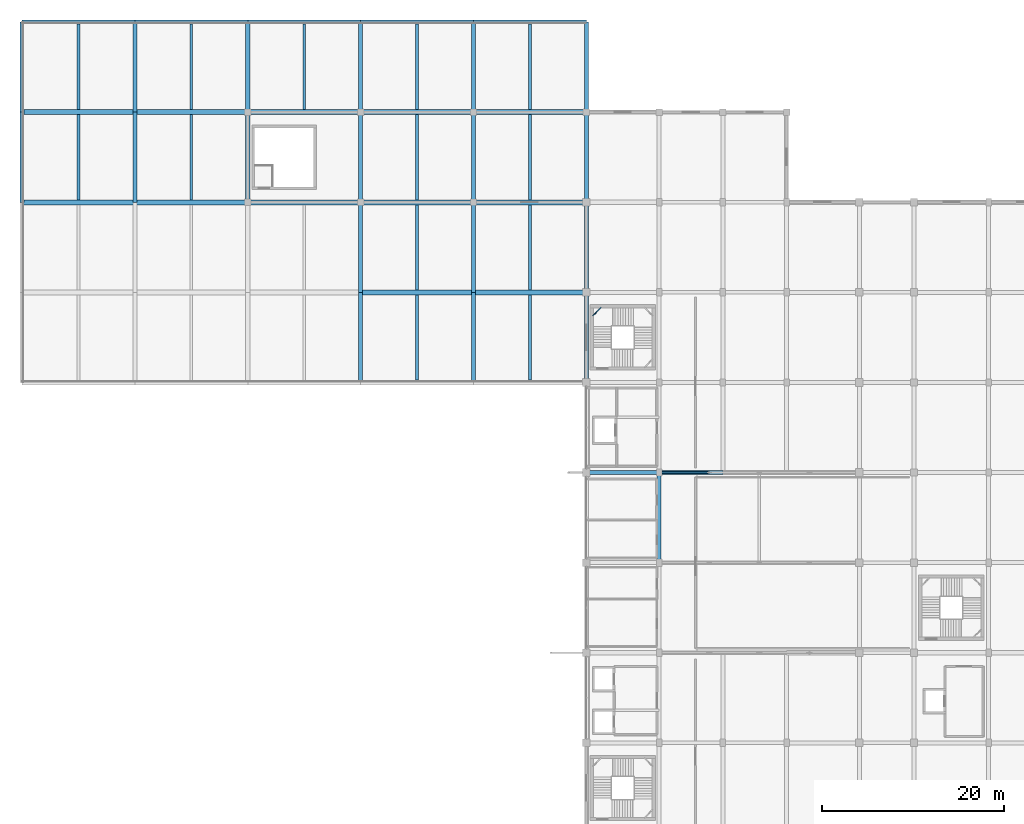
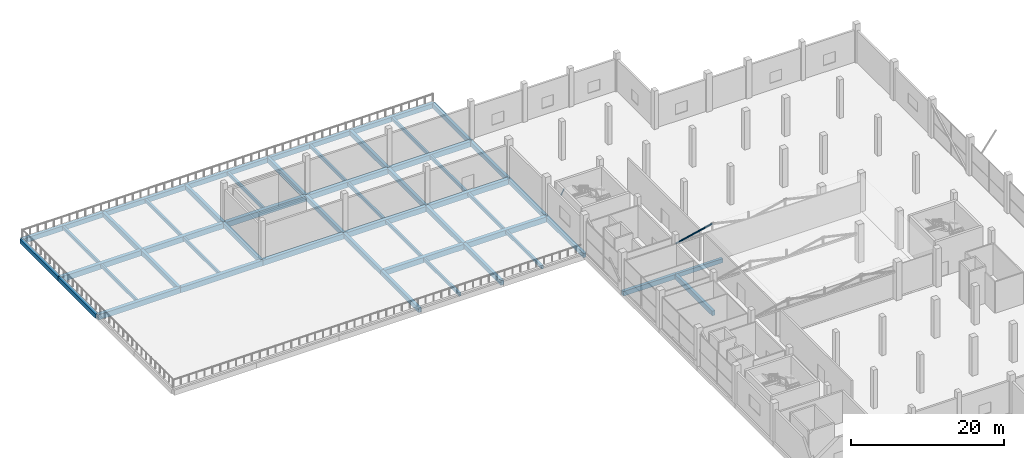
# One storey, part 17 of 46: 52 beams, 1 member.
"""IFC4 building model written with IfcOpenShell, lengths in metres."""

from ifc_helpers import new_model, si_unit, direction, frame, origin, origin_2d, place, context, subcontext, project, spatial, rectangle, hollow_rectangle, extrude, material, material_profile, profile_set, type_object, element, save


model = new_model("IFC4")

# Units and contexts
model_context = context("Model", 3, precision=1e-05, world=origin(), true_north=direction((0.0, 1.0)))
body_context = subcontext(model_context, "Body", "Model", "MODEL_VIEW")
ifc_project = project(units=[si_unit("LENGTHUNIT", "METRE"), si_unit("AREAUNIT", "SQUARE_METRE"), si_unit("VOLUMEUNIT", "CUBIC_METRE"), si_unit("PLANEANGLEUNIT", "RADIAN"), si_unit("MASSUNIT", "GRAM", prefix="KILO")], contexts=[model_context])

# Site, building, storey
site_placement = place(None, origin())
site = spatial("IfcSite", under=ifc_project, at=site_placement, CompositionType="ELEMENT")
building_placement = place(site_placement, origin())
building = spatial("IfcBuilding", under=site, at=building_placement, Name="Sillaruma Civic Art Gallery", CompositionType="ELEMENT")
storey_placement = place(building_placement, frame((0.0, 0.0, 16.320068359375)))
storey = spatial("IfcBuildingStorey", under=building, at=storey_placement, Name="L03", CompositionType="ELEMENT", Elevation=16.320068359375)

# Beams
ifc_material_1 = material(Name="Concrete H35 (35 MPa)", Category="concrete")
ifc_material_profile_1 = material_profile(ifc_material_1, rectangle(XDim=0.39990234375, YDim=0.64990234375, at=origin_2d()), Name="RCB400x650")
ifc_profile_set_1 = profile_set([ifc_material_profile_1], Name="Concrete H35 (35 MPa)")
beam_type_1 = type_object("IfcBeamType", Name="BM-BEAM-RCB400x650", PredefinedType="BEAM", material=ifc_profile_set_1)
beam_1_placement = place(storey_placement, frame((70.0, 69.300048828125, -0.60498046875), z_axis=(1.0, 0.0, 0.0), x_axis=(0.0, 1.0, 0.0)))
element("IfcBeam", 1, at=beam_1_placement, inside=storey, type_object=beam_type_1, Name="Beam BM-05 (L02:8:G-H)", PredefinedType="BEAM", context=body_context, shape_type="SweptSolid", body=[
    extrude(rectangle(XDim=0.39990234375, YDim=0.64990234375, at=origin_2d()), origin(), (0.0, 0.0, 1.0), 7.0),
])
ifc_material_2 = material(Name="Concrete H40 (40 MPa)", Category="concrete")
ifc_material_profile_2 = material_profile(ifc_material_2, rectangle(XDim=0.449951171875, YDim=0.75, at=origin_2d()), Name="RCB450x750")
ifc_profile_set_2 = profile_set([ifc_material_profile_2], Name="Concrete H40 (40 MPa)")
beam_type_2 = type_object("IfcBeamType", Name="BM-BEAM-RCB450x750", PredefinedType="BEAM", material=ifc_profile_set_2)
beam_2_placement = place(storey_placement, frame((62.0, 69.300048828125, -0.655029296875), z_axis=(1.0, 0.0, 0.0), x_axis=(0.0, 1.0, 0.0)))
element("IfcBeam", 2, at=beam_2_placement, inside=storey, type_object=beam_type_2, Name="Beam BM-03 (L02:8:F-G)", PredefinedType="BEAM", context=body_context, shape_type="SweptSolid", body=[
    extrude(rectangle(XDim=0.449951171875, YDim=0.75, at=origin_2d()), origin(), (0.0, 0.0, 1.0), 8.0),
])
beam_3_placement = place(storey_placement, frame((12.39990234375, 99.0, -0.655029296875), z_axis=(0.0, 1.0, 0.0), x_axis=(-1.0, 0.0, 0.0)))
element("IfcBeam", 3, at=beam_3_placement, inside=storey, type_object=beam_type_2, Name="Beam BM-03 (L02:B:11-12)", PredefinedType="BEAM", context=body_context, shape_type="SweptSolid", body=[
    extrude(rectangle(XDim=0.449951171875, YDim=0.75, at=origin_2d()), origin(), (0.0, 0.0, 1.0), 9.89990234375),
])
beam_4_placement = place(storey_placement, frame((12.39990234375, 108.89990234375, -0.655029296875), z_axis=(0.0, 1.0, 0.0), x_axis=(-1.0, 0.0, 0.0)))
element("IfcBeam", 4, at=beam_4_placement, inside=storey, type_object=beam_type_2, Name="Beam BM-03 (L02:B:12-13)", PredefinedType="BEAM", context=body_context, shape_type="SweptSolid", body=[
    extrude(rectangle(XDim=0.449951171875, YDim=0.75, at=origin_2d()), origin(), (0.0, 0.0, 1.0), 9.900146484375),
])
beam_5_placement = place(storey_placement, frame((24.800048828125, 99.0, -0.655029296875), z_axis=(0.0, 1.0, 0.0), x_axis=(-1.0, 0.0, 0.0)))
element("IfcBeam", 5, at=beam_5_placement, inside=storey, type_object=beam_type_2, Name="Beam BM-03 (L02:C:11-12)", PredefinedType="BEAM", context=body_context, shape_type="SweptSolid", body=[
    extrude(rectangle(XDim=0.449951171875, YDim=0.75, at=origin_2d()), origin(), (0.0, 0.0, 1.0), 9.89990234375),
])
for number, where, z_axis, x_axis, name in (
    (6, (24.800048828125, 108.89990234375, -0.655029296875), (0.0, 1.0, 0.0), (-1.0, 0.0, 0.0), "Beam BM-03 (L02:C:12-13)"),
    (7, (37.199951171875, 79.199951171875, -0.655029296875), (0.0, 1.0, 0.0), (-1.0, 0.0, 0.0), "Beam BM-03 (L02:D:9-10)"),
):
    element("IfcBeam", number, at=place(storey_placement, frame(where, z_axis=z_axis, x_axis=x_axis)), inside=storey, type_object=beam_type_2, Name=name, PredefinedType="BEAM", context=body_context, shape_type="SweptSolid", body=[
        extrude(rectangle(XDim=0.449951171875, YDim=0.75, at=origin_2d()), origin(), (0.0, 0.0, 1.0), 9.900146484375),
    ])
for number, where, z_axis, x_axis, name in (
    (8, (37.199951171875, 89.10009765625, -0.655029296875), (0.0, 1.0, 0.0), (-1.0, 0.0, 0.0), "Beam BM-03 (L02:D:10-11)"),
    (9, (37.199951171875, 99.0, -0.655029296875), (0.0, 1.0, 0.0), (-1.0, 0.0, 0.0), "Beam BM-03 (L02:D:11-12)"),
):
    element("IfcBeam", number, at=place(storey_placement, frame(where, z_axis=z_axis, x_axis=x_axis)), inside=storey, type_object=beam_type_2, Name=name, PredefinedType="BEAM", context=body_context, shape_type="SweptSolid", body=[
        extrude(rectangle(XDim=0.449951171875, YDim=0.75, at=origin_2d()), origin(), (0.0, 0.0, 1.0), 9.89990234375),
    ])
for number, where, z_axis, x_axis, name in (
    (10, (37.199951171875, 108.89990234375, -0.655029296875), (0.0, 1.0, 0.0), (-1.0, 0.0, 0.0), "Beam BM-03 (L02:D:12-13)"),
    (11, (49.60009765625, 79.199951171875, -0.655029296875), (0.0, 1.0, 0.0), (-1.0, 0.0, 0.0), "Beam BM-03 (L02:E:9-10)"),
):
    element("IfcBeam", number, at=place(storey_placement, frame(where, z_axis=z_axis, x_axis=x_axis)), inside=storey, type_object=beam_type_2, Name=name, PredefinedType="BEAM", context=body_context, shape_type="SweptSolid", body=[
        extrude(rectangle(XDim=0.449951171875, YDim=0.75, at=origin_2d()), origin(), (0.0, 0.0, 1.0), 9.900146484375),
    ])
for number, where, z_axis, x_axis, name in (
    (12, (49.60009765625, 89.10009765625, -0.655029296875), (0.0, 1.0, 0.0), (-1.0, 0.0, 0.0), "Beam BM-03 (L02:E:10-11)"),
    (13, (49.60009765625, 99.0, -0.655029296875), (0.0, 1.0, 0.0), (-1.0, 0.0, 0.0), "Beam BM-03 (L02:E:11-12)"),
):
    element("IfcBeam", number, at=place(storey_placement, frame(where, z_axis=z_axis, x_axis=x_axis)), inside=storey, type_object=beam_type_2, Name=name, PredefinedType="BEAM", context=body_context, shape_type="SweptSolid", body=[
        extrude(rectangle(XDim=0.449951171875, YDim=0.75, at=origin_2d()), origin(), (0.0, 0.0, 1.0), 9.89990234375),
    ])
for number, where, z_axis, x_axis, name in (
    (14, (49.60009765625, 108.89990234375, -0.655029296875), (0.0, 1.0, 0.0), (-1.0, 0.0, 0.0), "Beam BM-03 (L02:E:12-13)"),
    (15, (70.0, 59.39990234375, -0.655029296875), (0.0, 1.0, 0.0), (-1.0, 0.0, 0.0), "Beam BM-03 (L02:G:7-8)"),
):
    element("IfcBeam", number, at=place(storey_placement, frame(where, z_axis=z_axis, x_axis=x_axis)), inside=storey, type_object=beam_type_2, Name=name, PredefinedType="BEAM", context=body_context, shape_type="SweptSolid", body=[
        extrude(rectangle(XDim=0.449951171875, YDim=0.75, at=origin_2d()), origin(), (0.0, 0.0, 1.0), 9.900146484375),
    ])
ifc_material_profile_3 = material_profile(ifc_material_2, rectangle(XDim=0.550048828125, YDim=0.85009765625, at=origin_2d()), Name="RCB550x850")
ifc_profile_set_3 = profile_set([ifc_material_profile_3], Name="Concrete H40 (40 MPa)")
beam_type_3 = type_object("IfcBeamType", Name="BM-BEAM-RCB550x850", PredefinedType="BEAM", material=ifc_profile_set_3)
beam_6_placement = place(storey_placement, frame((37.199951171875, 89.10009765625, -0.705078125), z_axis=(1.0, 0.0, 0.0), x_axis=(0.0, 1.0, 0.0)))
element("IfcBeam", 16, at=beam_6_placement, inside=storey, type_object=beam_type_3, Name="Beam BM-01 (L02:10:D-E)", PredefinedType="BEAM", context=body_context, shape_type="SweptSolid", body=[
    extrude(rectangle(XDim=0.550048828125, YDim=0.85009765625, at=origin_2d()), origin(), (0.0, 0.0, 1.0), 12.400146484375),
])
for number, where, z_axis, x_axis, name in (
    (17, (49.60009765625, 89.10009765625, -0.705078125), (1.0, 0.0, 0.0), (0.0, 1.0, 0.0), "Beam BM-01 (L02:10:E-F)"),
    (18, (0.0, 99.0, -0.705078125), (1.0, 0.0, 0.0), (0.0, 1.0, 0.0), "Beam BM-01 (L02:11:A-B)"),
):
    element("IfcBeam", number, at=place(storey_placement, frame(where, z_axis=z_axis, x_axis=x_axis)), inside=storey, type_object=beam_type_3, Name=name, PredefinedType="BEAM", context=body_context, shape_type="SweptSolid", body=[
        extrude(rectangle(XDim=0.550048828125, YDim=0.85009765625, at=origin_2d()), origin(), (0.0, 0.0, 1.0), 12.39990234375),
    ])
beam_7_placement = place(storey_placement, frame((12.39990234375, 99.0, -0.705078125), z_axis=(1.0, 0.0, 0.0), x_axis=(0.0, 1.0, 0.0)))
element("IfcBeam", 19, at=beam_7_placement, inside=storey, type_object=beam_type_3, Name="Beam BM-01 (L02:11:B-C)", PredefinedType="BEAM", context=body_context, shape_type="SweptSolid", body=[
    extrude(rectangle(XDim=0.550048828125, YDim=0.85009765625, at=origin_2d()), origin(), (0.0, 0.0, 1.0), 12.400146484375),
])
beam_8_placement = place(storey_placement, frame((24.800048828125, 99.0, -0.705078125), z_axis=(1.0, 0.0, 0.0), x_axis=(0.0, 1.0, 0.0)))
element("IfcBeam", 20, at=beam_8_placement, inside=storey, type_object=beam_type_3, Name="Beam BM-01 (L02:11:C-D)", PredefinedType="BEAM", context=body_context, shape_type="SweptSolid", body=[
    extrude(rectangle(XDim=0.550048828125, YDim=0.85009765625, at=origin_2d()), origin(), (0.0, 0.0, 1.0), 12.39990234375),
])
beam_9_placement = place(storey_placement, frame((37.199951171875, 99.0, -0.705078125), z_axis=(1.0, 0.0, 0.0), x_axis=(0.0, 1.0, 0.0)))
element("IfcBeam", 21, at=beam_9_placement, inside=storey, type_object=beam_type_3, Name="Beam BM-01 (L02:11:D-E)", PredefinedType="BEAM", context=body_context, shape_type="SweptSolid", body=[
    extrude(rectangle(XDim=0.550048828125, YDim=0.85009765625, at=origin_2d()), origin(), (0.0, 0.0, 1.0), 12.400146484375),
])
for number, where, z_axis, x_axis, name in (
    (22, (49.60009765625, 99.0, -0.705078125), (1.0, 0.0, 0.0), (0.0, 1.0, 0.0), "Beam BM-01 (L02:11:E-F)"),
    (23, (0.0, 108.89990234375, -0.705078125), (1.0, 0.0, 0.0), (0.0, 1.0, 0.0), "Beam BM-01 (L02:12:A-B)"),
):
    element("IfcBeam", number, at=place(storey_placement, frame(where, z_axis=z_axis, x_axis=x_axis)), inside=storey, type_object=beam_type_3, Name=name, PredefinedType="BEAM", context=body_context, shape_type="SweptSolid", body=[
        extrude(rectangle(XDim=0.550048828125, YDim=0.85009765625, at=origin_2d()), origin(), (0.0, 0.0, 1.0), 12.39990234375),
    ])
beam_10_placement = place(storey_placement, frame((12.39990234375, 108.89990234375, -0.705078125), z_axis=(1.0, 0.0, 0.0), x_axis=(0.0, 1.0, 0.0)))
element("IfcBeam", 24, at=beam_10_placement, inside=storey, type_object=beam_type_3, Name="Beam BM-01 (L02:12:B-C)", PredefinedType="BEAM", context=body_context, shape_type="SweptSolid", body=[
    extrude(rectangle(XDim=0.550048828125, YDim=0.85009765625, at=origin_2d()), origin(), (0.0, 0.0, 1.0), 12.400146484375),
])
beam_11_placement = place(storey_placement, frame((24.800048828125, 108.89990234375, -0.705078125), z_axis=(1.0, 0.0, 0.0), x_axis=(0.0, 1.0, 0.0)))
element("IfcBeam", 25, at=beam_11_placement, inside=storey, type_object=beam_type_3, Name="Beam BM-01 (L02:12:C-D)", PredefinedType="BEAM", context=body_context, shape_type="SweptSolid", body=[
    extrude(rectangle(XDim=0.550048828125, YDim=0.85009765625, at=origin_2d()), origin(), (0.0, 0.0, 1.0), 12.39990234375),
])
beam_12_placement = place(storey_placement, frame((37.199951171875, 108.89990234375, -0.705078125), z_axis=(1.0, 0.0, 0.0), x_axis=(0.0, 1.0, 0.0)))
element("IfcBeam", 26, at=beam_12_placement, inside=storey, type_object=beam_type_3, Name="Beam BM-01 (L02:12:D-E)", PredefinedType="BEAM", context=body_context, shape_type="SweptSolid", body=[
    extrude(rectangle(XDim=0.550048828125, YDim=0.85009765625, at=origin_2d()), origin(), (0.0, 0.0, 1.0), 12.400146484375),
])
beam_13_placement = place(storey_placement, frame((49.60009765625, 108.89990234375, -0.705078125), z_axis=(1.0, 0.0, 0.0), x_axis=(0.0, 1.0, 0.0)))
element("IfcBeam", 27, at=beam_13_placement, inside=storey, type_object=beam_type_3, Name="Beam BM-01 (L02:12:E-F)", PredefinedType="BEAM", context=body_context, shape_type="SweptSolid", body=[
    extrude(rectangle(XDim=0.550048828125, YDim=0.85009765625, at=origin_2d()), origin(), (0.0, 0.0, 1.0), 12.39990234375),
])
ifc_material_profile_4 = material_profile(ifc_material_1, rectangle(XDim=0.300048828125, YDim=0.52001953125, at=origin_2d()), Name="RCB300x520")
ifc_profile_set_4 = profile_set([ifc_material_profile_4], Name="Concrete H35 (35 MPa)")
beam_type_4 = type_object("IfcBeamType", Name="BM-JOIST-RCB300x520", PredefinedType="JOIST", material=ifc_profile_set_4)
for number, where, z_axis, x_axis, name in (
    (28, (43.39990234375, 79.47509765625, -0.5400390625), (0.0, 1.0, 0.0), (-1.0, 0.0, 0.0), "Floor Joist JR-01 (L02:DE:9-10)"),
    (29, (55.800048828125, 79.47509765625, -0.5400390625), (0.0, 1.0, 0.0), (-1.0, 0.0, 0.0), "Floor Joist JR-01 (L02:EF:9-10)"),
):
    element("IfcBeam", number, at=place(storey_placement, frame(where, z_axis=z_axis, x_axis=x_axis)), inside=storey, type_object=beam_type_4, Name=name, PredefinedType="JOIST", context=body_context, shape_type="SweptSolid", body=[
        extrude(rectangle(XDim=0.300048828125, YDim=0.52001953125, at=origin_2d()), origin(), (0.0, 0.0, 1.0), 9.349853515625),
    ])
for number, where, z_axis, x_axis, name in (
    (30, (43.39990234375, 89.375, -0.5400390625), (0.0, 1.0, 0.0), (-1.0, 0.0, 0.0), "Floor Joist JR-01 (L02:DE:10-11)"),
    (31, (55.800048828125, 89.375, -0.5400390625), (0.0, 1.0, 0.0), (-1.0, 0.0, 0.0), "Floor Joist JR-01 (L02:EF:10-11)"),
    (32, (6.199951171875, 99.27490234375, -0.5400390625), (0.0, 1.0, 0.0), (-1.0, 0.0, 0.0), "Floor Joist JR-01 (L02:AB:11-12)"),
    (33, (18.60009765625, 99.27490234375, -0.5400390625), (0.0, 1.0, 0.0), (-1.0, 0.0, 0.0), "Floor Joist JR-01 (L02:BC:11-12)"),
    (34, (43.39990234375, 99.27490234375, -0.5400390625), (0.0, 1.0, 0.0), (-1.0, 0.0, 0.0), "Floor Joist JR-01 (L02:DE:11-12)"),
    (35, (55.800048828125, 99.27490234375, -0.5400390625), (0.0, 1.0, 0.0), (-1.0, 0.0, 0.0), "Floor Joist JR-01 (L02:EF:11-12)"),
):
    element("IfcBeam", number, at=place(storey_placement, frame(where, z_axis=z_axis, x_axis=x_axis)), inside=storey, type_object=beam_type_4, Name=name, PredefinedType="JOIST", context=body_context, shape_type="SweptSolid", body=[
        extrude(rectangle(XDim=0.300048828125, YDim=0.52001953125, at=origin_2d()), origin(), (0.0, 0.0, 1.0), 9.35009765625),
    ])
for number, where, z_axis, x_axis, name in (
    (36, (6.199951171875, 109.175048828125, -0.5400390625), (0.0, 1.0, 0.0), (-1.0, 0.0, 0.0), "Floor Joist JR-01 (L02:AB:12-13)"),
    (37, (18.60009765625, 109.175048828125, -0.5400390625), (0.0, 1.0, 0.0), (-1.0, 0.0, 0.0), "Floor Joist JR-01 (L02:BC:12-13)"),
    (38, (31.0, 109.175048828125, -0.5400390625), (0.0, 1.0, 0.0), (-1.0, 0.0, 0.0), "Floor Joist JR-01 (L02:CD:12-13)"),
    (39, (43.39990234375, 109.175048828125, -0.5400390625), (0.0, 1.0, 0.0), (-1.0, 0.0, 0.0), "Floor Joist JR-01 (L02:DE:12-13)"),
    (40, (55.800048828125, 109.175048828125, -0.5400390625), (0.0, 1.0, 0.0), (-1.0, 0.0, 0.0), "Floor Joist JR-01 (L02:EF:12-13)"),
):
    element("IfcBeam", number, at=place(storey_placement, frame(where, z_axis=z_axis, x_axis=x_axis)), inside=storey, type_object=beam_type_4, Name=name, PredefinedType="JOIST", context=body_context, shape_type="SweptSolid", body=[
        extrude(rectangle(XDim=0.300048828125, YDim=0.52001953125, at=origin_2d()), origin(), (0.0, 0.0, 1.0), 9.39990234375),
    ])
ifc_material_3 = material(Name="Structural Steel ASTM A500 Gr.C", Category="steel")
ifc_material_profile_5 = material_profile(ifc_material_3, hollow_rectangle(XDim=0.080078125, YDim=0.159912109375, WallThickness=0.008056640625, InnerFilletRadius=0.008056640625, OuterFilletRadius=0.01611328125, at=origin_2d()), Name="HSS160x80x8")
ifc_profile_set_5 = profile_set([ifc_material_profile_5], Name="Structural Steel ASTM A500 Gr.C")
beam_type_5 = type_object("IfcBeamType", Name="BM-LND-HSS160", PredefinedType="BEAM", material=ifc_profile_set_5)
beam_14_placement = place(storey_placement, frame((62.719970703125, 86.5400390625, 4.309814453125), z_axis=(0.707203758046, 0.707009791025, 0.0), x_axis=(-0.707009791025, 0.707203758046, 0.0)))
element("IfcBeam", 41, at=beam_14_placement, inside=storey, type_object=beam_type_5, Name="Stair Corner Landing Trimmer Beam (ST-02-L03-3)", PredefinedType="BEAM", context=body_context, shape_type="SweptSolid", body=[
    extrude(hollow_rectangle(XDim=0.080078125, YDim=0.159912109375, WallThickness=0.008056640625, InnerFilletRadius=0.008056640625, OuterFilletRadius=0.01611328125, at=origin_2d()), origin(), (0.0, 0.0, 1.0), 1.2587890625),
])
ifc_material_profile_6 = material_profile(ifc_material_1, rectangle(XDim=0.449951171875, YDim=0.699951171875, at=origin_2d()), Name="RCB450x700")
ifc_profile_set_6 = profile_set([ifc_material_profile_6], Name="Concrete H35 (35 MPa)")
beam_type_6 = type_object("IfcBeamType", Name="BM-SPANDREL-RCB450x700", PredefinedType="SPANDREL", material=ifc_profile_set_6)
beam_15_placement = place(storey_placement, frame((0.0, 99.0, -0.630126953125), z_axis=(0.0, 1.0, 0.0), x_axis=(-1.0, 0.0, 0.0)))
element("IfcBeam", 42, at=beam_15_placement, inside=storey, type_object=beam_type_6, Name="Beam BS-03 (L02:A:11-12)", PredefinedType="SPANDREL", context=body_context, shape_type="SweptSolid", body=[
    extrude(rectangle(XDim=0.449951171875, YDim=0.699951171875, at=origin_2d()), origin(), (0.0, 0.0, 1.0), 9.89990234375),
])
for number, where, z_axis, x_axis, name in (
    (43, (0.0, 108.89990234375, -0.630126953125), (0.0, 1.0, 0.0), (-1.0, 0.0, 0.0), "Beam BS-03 (L02:A:12-13)"),
    (44, (62.0, 79.199951171875, -0.630126953125), (0.0, 1.0, 0.0), (-1.0, 0.0, 0.0), "Beam BS-03 (L02:F:9-10)"),
):
    element("IfcBeam", number, at=place(storey_placement, frame(where, z_axis=z_axis, x_axis=x_axis)), inside=storey, type_object=beam_type_6, Name=name, PredefinedType="SPANDREL", context=body_context, shape_type="SweptSolid", body=[
        extrude(rectangle(XDim=0.449951171875, YDim=0.699951171875, at=origin_2d()), origin(), (0.0, 0.0, 1.0), 9.900146484375),
    ])
for number, where, z_axis, x_axis, name in (
    (45, (62.0, 89.10009765625, -0.630126953125), (0.0, 1.0, 0.0), (-1.0, 0.0, 0.0), "Beam BS-03 (L02:F:10-11)"),
    (46, (62.0, 99.0, -0.630126953125), (0.0, 1.0, 0.0), (-1.0, 0.0, 0.0), "Beam BS-03 (L02:F:11-12)"),
):
    element("IfcBeam", number, at=place(storey_placement, frame(where, z_axis=z_axis, x_axis=x_axis)), inside=storey, type_object=beam_type_6, Name=name, PredefinedType="SPANDREL", context=body_context, shape_type="SweptSolid", body=[
        extrude(rectangle(XDim=0.449951171875, YDim=0.699951171875, at=origin_2d()), origin(), (0.0, 0.0, 1.0), 9.89990234375),
    ])
beam_16_placement = place(storey_placement, frame((62.0, 108.89990234375, -0.630126953125), z_axis=(0.0, 1.0, 0.0), x_axis=(-1.0, 0.0, 0.0)))
element("IfcBeam", 47, at=beam_16_placement, inside=storey, type_object=beam_type_6, Name="Beam BS-03 (L02:F:12-13)", PredefinedType="SPANDREL", context=body_context, shape_type="SweptSolid", body=[
    extrude(rectangle(XDim=0.449951171875, YDim=0.699951171875, at=origin_2d()), origin(), (0.0, 0.0, 1.0), 9.900146484375),
])
ifc_material_profile_7 = material_profile(ifc_material_2, rectangle(XDim=0.449951171875, YDim=0.75, at=origin_2d()), Name="RCB450x750")
ifc_profile_set_7 = profile_set([ifc_material_profile_7], Name="Concrete H40 (40 MPa)")
beam_type_7 = type_object("IfcBeamType", Name="BM-SPANDREL-RCB450x750", PredefinedType="SPANDREL", material=ifc_profile_set_7)
beam_17_placement = place(storey_placement, frame((0.0, 118.800048828125, -0.655029296875), z_axis=(1.0, 0.0, 0.0), x_axis=(0.0, 1.0, 0.0)))
element("IfcBeam", 48, at=beam_17_placement, inside=storey, type_object=beam_type_7, Name="Beam BS-01 (L02:13:A-B)", PredefinedType="SPANDREL", context=body_context, shape_type="SweptSolid", body=[
    extrude(rectangle(XDim=0.449951171875, YDim=0.75, at=origin_2d()), origin(), (0.0, 0.0, 1.0), 12.39990234375),
])
beam_18_placement = place(storey_placement, frame((12.39990234375, 118.800048828125, -0.655029296875), z_axis=(1.0, 0.0, 0.0), x_axis=(0.0, 1.0, 0.0)))
element("IfcBeam", 49, at=beam_18_placement, inside=storey, type_object=beam_type_7, Name="Beam BS-01 (L02:13:B-C)", PredefinedType="SPANDREL", context=body_context, shape_type="SweptSolid", body=[
    extrude(rectangle(XDim=0.449951171875, YDim=0.75, at=origin_2d()), origin(), (0.0, 0.0, 1.0), 12.400146484375),
])
beam_19_placement = place(storey_placement, frame((24.800048828125, 118.800048828125, -0.655029296875), z_axis=(1.0, 0.0, 0.0), x_axis=(0.0, 1.0, 0.0)))
element("IfcBeam", 50, at=beam_19_placement, inside=storey, type_object=beam_type_7, Name="Beam BS-01 (L02:13:C-D)", PredefinedType="SPANDREL", context=body_context, shape_type="SweptSolid", body=[
    extrude(rectangle(XDim=0.449951171875, YDim=0.75, at=origin_2d()), origin(), (0.0, 0.0, 1.0), 12.39990234375),
])
beam_20_placement = place(storey_placement, frame((37.199951171875, 118.800048828125, -0.655029296875), z_axis=(1.0, 0.0, 0.0), x_axis=(0.0, 1.0, 0.0)))
element("IfcBeam", 51, at=beam_20_placement, inside=storey, type_object=beam_type_7, Name="Beam BS-01 (L02:13:D-E)", PredefinedType="SPANDREL", context=body_context, shape_type="SweptSolid", body=[
    extrude(rectangle(XDim=0.449951171875, YDim=0.75, at=origin_2d()), origin(), (0.0, 0.0, 1.0), 12.400146484375),
])
beam_21_placement = place(storey_placement, frame((49.60009765625, 118.800048828125, -0.655029296875), z_axis=(1.0, 0.0, 0.0), x_axis=(0.0, 1.0, 0.0)))
element("IfcBeam", 52, at=beam_21_placement, inside=storey, type_object=beam_type_7, Name="Beam BS-01 (L02:13:E-F)", PredefinedType="SPANDREL", context=body_context, shape_type="SweptSolid", body=[
    extrude(rectangle(XDim=0.449951171875, YDim=0.75, at=origin_2d()), origin(), (0.0, 0.0, 1.0), 12.39990234375),
])

# Member
ifc_material_profile_8 = material_profile(ifc_material_3, hollow_rectangle(XDim=0.179931640625, YDim=0.179931640625, WallThickness=0.010009765625, InnerFilletRadius=0.010009765625, OuterFilletRadius=0.02001953125, at=origin_2d()), Name="HSS180x180x10")
ifc_profile_set_8 = profile_set([ifc_material_profile_8], Name="Structural Steel ASTM A500 Gr.C")
member_type = type_object("IfcMemberType", Name="MEM-BRACE-HSS180x180x10", PredefinedType="BRACE", material=ifc_profile_set_8)
member_placement = place(storey_placement, frame((70.0, 69.300048828125, 4.434814453125), z_axis=(0.975552224414, 0.0, 0.219767735214), x_axis=(0.0, 1.0, 0.0)))
element("IfcMember", 53, at=member_placement, inside=storey, type_object=member_type, Name="Warren Truss Diagonal TR-L03-3-D1", PredefinedType="BRACE", context=body_context, shape_type="SweptSolid", body=[
    extrude(hollow_rectangle(XDim=0.179931640625, YDim=0.179931640625, WallThickness=0.010009765625, InnerFilletRadius=0.010009765625, OuterFilletRadius=0.02001953125, at=origin_2d()), origin(), (0.0, 0.0, 1.0), 5.637939453125),
])

save(model, "model.ifc")
